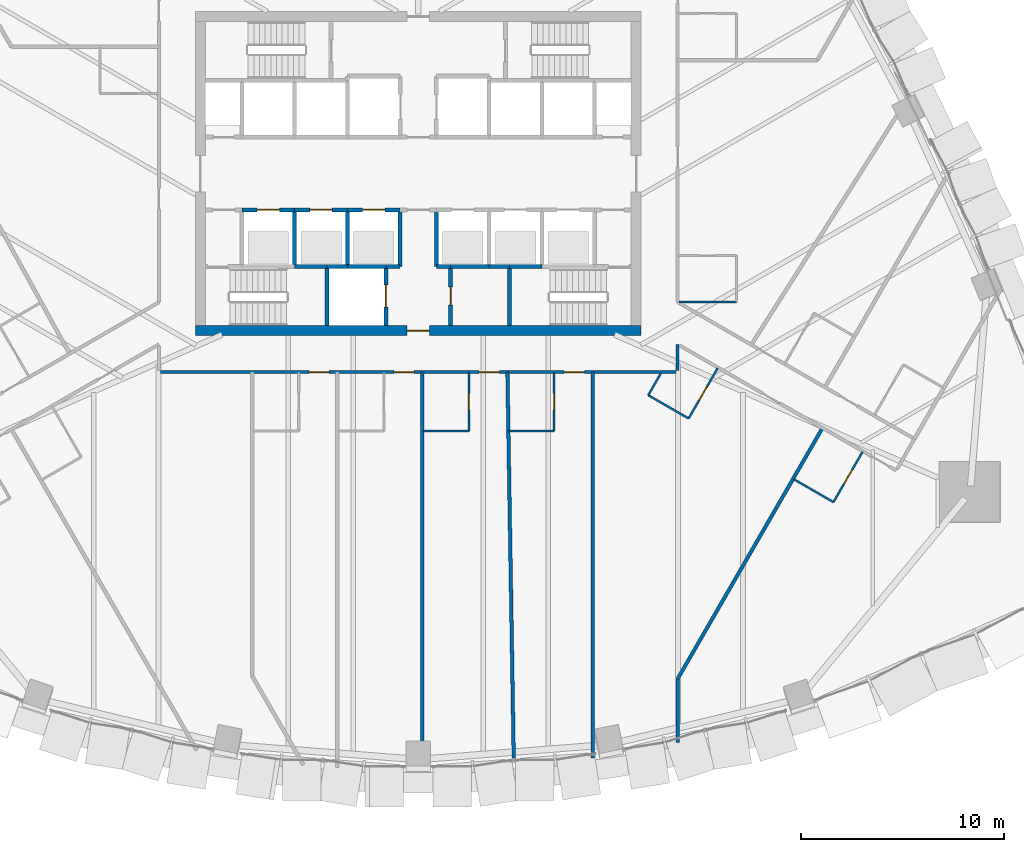
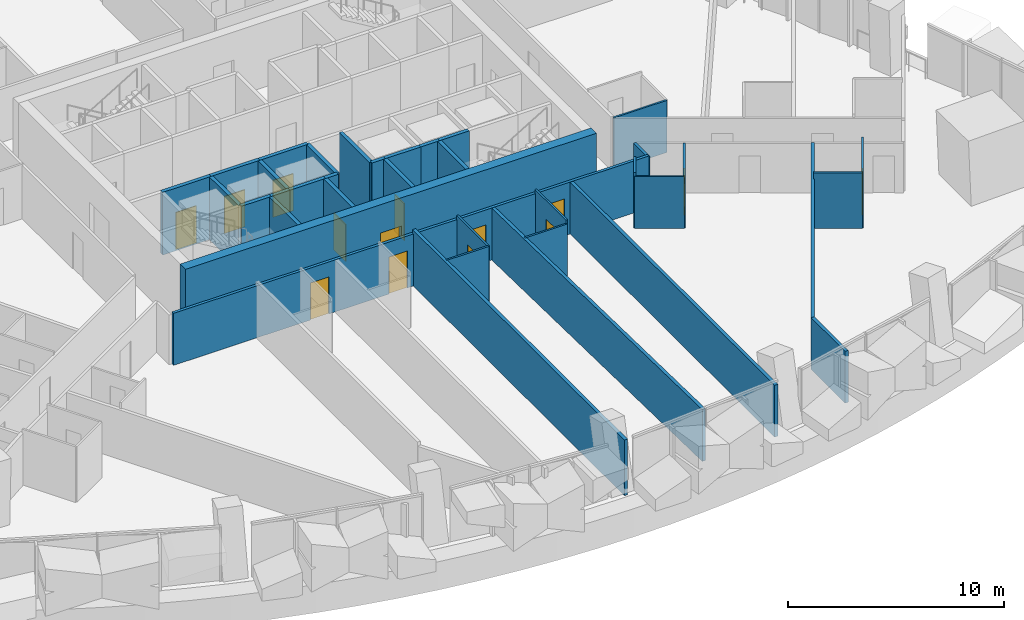
# One storey, part 16 of 27: 37 walls, 14 doors, 14 openings.
"""IFC4 building model written with IfcOpenShell, lengths in metres."""

from ifc_helpers import new_model, si_unit, direction, frame, frame_2d, origin, place, context, subcontext, project, spatial, rectangle, extrude, material, layer, layer_set, type_object, element, fill, save


model = new_model("IFC4")

# Units and contexts
model_context = context("Model", 3, precision=1e-05, world=origin(), true_north=direction((0.0, 1.0)))
body_context = subcontext(model_context, "Body", "Model", "MODEL_VIEW")
ifc_project = project(units=[si_unit("LENGTHUNIT", "METRE"), si_unit("AREAUNIT", "SQUARE_METRE"), si_unit("VOLUMEUNIT", "CUBIC_METRE"), si_unit("PLANEANGLEUNIT", "RADIAN"), si_unit("MASSUNIT", "GRAM", prefix="KILO")], contexts=[model_context])

# Site, building, storey
site_placement = place(None, origin())
site = spatial("IfcSite", under=ifc_project, at=site_placement, CompositionType="ELEMENT")
building_placement = place(site_placement, origin())
building = spatial("IfcBuilding", under=site, at=building_placement, Name="Sierra Prisma Convention Tower", CompositionType="ELEMENT")
storey_placement = place(building_placement, frame((0.0, 0.0, 48.0)))
storey = spatial("IfcBuildingStorey", under=building, at=storey_placement, Name="L07", CompositionType="ELEMENT", Elevation=48.0)

# Wall, opening, door
ifc_material_1 = material(Name="Gypsum board partition", Category="gypsum")
ifc_layer_1 = layer(ifc_material_1, 0.10009765625)
ifc_layer_set_1 = layer_set([ifc_layer_1], Name="Bathroom partition 100")
wall_type_1 = type_object("IfcWallType", Name="Bathroom partition 100", PredefinedType="PARTITIONING", material=ifc_layer_set_1)
wall_1_placement = place(storey_placement, frame((2.5, -9.830078125, 0.0), z_axis=(0.0, 0.0, 1.0), x_axis=(0.0, -1.0, 0.0)))
wall_1 = element("IfcWall", 1, at=wall_1_placement, inside=storey, type_object=wall_type_1, Name="Partition L07 bath 21", PredefinedType="PARTITIONING", context=body_context, shape_type="SweptSolid", body=[
    extrude(rectangle(XDim=2.869873046875, YDim=0.10009765625, at=frame_2d((1.43505859375, 0.0))), origin(), (0.0, 0.0, 1.0), 3.14990234375),
])
opening_1_placement = place(wall_1_placement, frame((1.034912109375, 0.0, 0.0)))
opening_1 = element("IfcOpeningElement", 2, at=opening_1_placement, cuts=wall_1, Name="Opening L07-D013", PredefinedType="OPENING", context=body_context, shape_type="SweptSolid", body=[
    extrude(rectangle(XDim=0.800048828125, YDim=2.10009765625, at=frame_2d((0.39990234375, 1.050048828125))), frame((0.0, 0.050048828125, 0.0), z_axis=(0.0, -1.0, 0.0), x_axis=(1.0, 0.0, 0.0)), (0.0, 0.0, 1.0), 0.10009765625),
])
ifc_material_2 = material(Name="Solid core timber door leaf", Category="wood")
door_type_1 = type_object("IfcDoorType", Name="Door 800x2100 plain", OperationType="SINGLE_SWING_LEFT", PredefinedType="DOOR", material=ifc_material_2)
door_1_placement = place(opening_1_placement, origin())
door_1 = element("IfcDoor", 3, at=door_1_placement, inside=storey, type_object=door_type_1, Name="Door L07 29", OperationType="SINGLE_SWING_LEFT", OverallHeight=2.10009765625, OverallWidth=0.800048828125, PredefinedType="DOOR", context=body_context, shape_type="SweptSolid", body=[
    extrude(rectangle(XDim=0.800048828125, YDim=2.10009765625, at=frame_2d((0.39990234375, 1.050048828125))), frame((0.0, 0.02490234375, 0.0), z_axis=(0.0, -1.0, 0.0), x_axis=(1.0, 0.0, 0.0)), (0.0, 0.0, 1.0), 0.050048828125),
])
fill(opening_1, door_1)

# Wall
wall_2_placement = place(storey_placement, frame((2.5, -12.699951171875, 0.0), z_axis=(0.0, 0.0, 1.0), x_axis=(-1.0, 0.0, 0.0)))
element("IfcWall", 4, at=wall_2_placement, inside=storey, type_object=wall_type_1, Name="Partition L07 bath 22", PredefinedType="PARTITIONING", context=body_context, shape_type="SweptSolid", body=[
    extrude(rectangle(XDim=2.27001953125, YDim=0.10009765625, at=frame_2d((1.135009765625, 0.0))), origin(), (0.0, 0.0, 1.0), 3.14990234375),
])

# Wall, opening, door
wall_3_placement = place(storey_placement, frame((6.699951171875, -9.830078125, 0.0), z_axis=(0.0, 0.0, 1.0), x_axis=(0.0, -1.0, 0.0)))
wall_3 = element("IfcWall", 5, at=wall_3_placement, inside=storey, type_object=wall_type_1, Name="Partition L07 bath 25", PredefinedType="PARTITIONING", context=body_context, shape_type="SweptSolid", body=[
    extrude(rectangle(XDim=2.869873046875, YDim=0.10009765625, at=frame_2d((1.43505859375, 0.0))), origin(), (0.0, 0.0, 1.0), 3.14990234375),
])
opening_2_placement = place(wall_3_placement, frame((1.034912109375, 0.0, 0.0)))
opening_2 = element("IfcOpeningElement", 6, at=opening_2_placement, cuts=wall_3, Name="Opening L07-D014", PredefinedType="OPENING", context=body_context, shape_type="SweptSolid", body=[
    extrude(rectangle(XDim=0.800048828125, YDim=2.10009765625, at=frame_2d((0.39990234375, 1.050048828125))), frame((0.0, 0.050048828125, 0.0), z_axis=(0.0, -1.0, 0.0), x_axis=(1.0, 0.0, 0.0)), (0.0, 0.0, 1.0), 0.10009765625),
])
door_2_placement = place(opening_2_placement, origin())
door_2 = element("IfcDoor", 7, at=door_2_placement, inside=storey, type_object=door_type_1, Name="Door L07 31", OperationType="SINGLE_SWING_LEFT", OverallHeight=2.10009765625, OverallWidth=0.800048828125, PredefinedType="DOOR", context=body_context, shape_type="SweptSolid", body=[
    extrude(rectangle(XDim=0.800048828125, YDim=2.10009765625, at=frame_2d((0.39990234375, 1.050048828125))), frame((0.0, 0.02490234375, 0.0), z_axis=(0.0, -1.0, 0.0), x_axis=(1.0, 0.0, 0.0)), (0.0, 0.0, 1.0), 0.050048828125),
])
fill(opening_2, door_2)

# Wall
wall_4_placement = place(storey_placement, frame((6.699951171875, -12.699951171875, 0.0), z_axis=(0.0, 0.0, 1.0), x_axis=(-1.0, 0.0, 0.0)))
element("IfcWall", 8, at=wall_4_placement, inside=storey, type_object=wall_type_1, Name="Partition L07 bath 26", PredefinedType="PARTITIONING", context=body_context, shape_type="SweptSolid", body=[
    extrude(rectangle(XDim=2.27001953125, YDim=0.10009765625, at=frame_2d((1.135009765625, 0.0))), origin(), (0.0, 0.0, 1.0), 2.947021484375),
])

# Wall, opening, door
wall_5_placement = place(storey_placement, frame((14.77685546875, -9.605224609375, 0.0), z_axis=(0.0, 0.0, 1.0), x_axis=(-0.499999802827, -0.866025517622, 0.0)))
wall_5 = element("IfcWall", 9, at=wall_5_placement, inside=storey, type_object=wall_type_1, Name="Partition L07 bath 27", PredefinedType="PARTITIONING", context=body_context, shape_type="SweptSolid", body=[
    extrude(rectangle(XDim=2.8701171875, YDim=0.10009765625, at=frame_2d((1.43505859375, 0.0))), origin(), (0.0, 0.0, 1.0), 2.797119140625),
])
opening_3_placement = place(wall_5_placement, frame((1.034912109375, 0.0, 0.0)))
opening_3 = element("IfcOpeningElement", 10, at=opening_3_placement, cuts=wall_5, Name="Opening L07-D015", PredefinedType="OPENING", context=body_context, shape_type="SweptSolid", body=[
    extrude(rectangle(XDim=0.800048828125, YDim=2.10009765625, at=frame_2d((0.39990234375, 1.050048828125))), frame((0.0, 0.050048828125, 0.0), z_axis=(0.0, -1.0, 0.0), x_axis=(1.0, 0.0, 0.0)), (0.0, 0.0, 1.0), 0.10009765625),
])
door_3_placement = place(opening_3_placement, origin())
door_3 = element("IfcDoor", 11, at=door_3_placement, inside=storey, type_object=door_type_1, Name="Door L07 33", OperationType="SINGLE_SWING_LEFT", OverallHeight=2.10009765625, OverallWidth=0.800048828125, PredefinedType="DOOR", context=body_context, shape_type="SweptSolid", body=[
    extrude(rectangle(XDim=0.800048828125, YDim=2.10009765625, at=frame_2d((0.39990234375, 1.050048828125))), frame((0.0, 0.02490234375, 0.0), z_axis=(0.0, -1.0, 0.0), x_axis=(1.0, 0.0, 0.0)), (0.0, 0.0, 1.0), 0.050048828125),
])
fill(opening_3, door_3)

# Walls
wall_6_placement = place(storey_placement, frame((13.341796875, -12.0908203125, 0.0), z_axis=(0.0, 0.0, 1.0), x_axis=(-0.86602648383, 0.499998129301, 0.0)))
element("IfcWall", 12, at=wall_6_placement, inside=storey, type_object=wall_type_1, Name="Partition L07 bath 28", PredefinedType="PARTITIONING", context=body_context, shape_type="SweptSolid", body=[
    extrude(rectangle(XDim=2.2998046875, YDim=0.10009765625, at=frame_2d((1.14990234375, 0.0))), origin(), (0.0, 0.0, 1.0), 2.947021484375),
])
wall_7_placement = place(storey_placement, frame((11.35009765625, -10.94091796875, 0.0), z_axis=(0.0, 0.0, 1.0), x_axis=(0.499865263774, 0.866103179807, 0.0)))
element("IfcWall", 13, at=wall_7_placement, inside=storey, type_object=wall_type_1, Name="Partition L07 bath 29", PredefinedType="PARTITIONING", context=body_context, shape_type="SweptSolid", body=[
    extrude(rectangle(XDim=1.282470703125, YDim=0.10009765625, at=frame_2d((0.64111328125, 0.0))), origin(), (0.0, 0.0, 1.0), 3.14990234375),
])
wall_8_placement = place(storey_placement, frame((15.699951171875, -6.350830078125, 0.0), z_axis=(0.0, 0.0, 1.0), x_axis=(-1.0, 0.0, 0.0)))
element("IfcWall", 14, at=wall_8_placement, inside=storey, type_object=wall_type_1, Name="Partition L07 bath 32", PredefinedType="PARTITIONING", context=body_context, shape_type="SweptSolid", body=[
    extrude(rectangle(XDim=2.83984375, YDim=0.10009765625, at=frame_2d((1.419921875, 0.0))), origin(), (0.0, 0.0, 1.0), 2.947021484375),
])

# Wall, opening, door
wall_9_placement = place(storey_placement, frame((21.927001953125, -13.7333984375, 0.0), z_axis=(0.0, 0.0, 1.0), x_axis=(-0.499936001555, -0.866062350151, 0.0)))
wall_9 = element("IfcWall", 15, at=wall_9_placement, inside=storey, type_object=wall_type_1, Name="Partition L07 bath 37", PredefinedType="PARTITIONING", context=body_context, shape_type="SweptSolid", body=[
    extrude(rectangle(XDim=2.8701171875, YDim=0.10009765625, at=frame_2d((1.43505859375, 0.0))), origin(), (0.0, 0.0, 1.0), 3.14990234375),
])
opening_4_placement = place(wall_9_placement, frame((1.034912109375, 0.0, 0.0)))
opening_4 = element("IfcOpeningElement", 16, at=opening_4_placement, cuts=wall_9, Name="Opening L07-D016", PredefinedType="OPENING", context=body_context, shape_type="SweptSolid", body=[
    extrude(rectangle(XDim=0.800048828125, YDim=2.10009765625, at=frame_2d((0.39990234375, 1.050048828125))), frame((0.0, 0.050048828125, 0.0), z_axis=(0.0, -1.0, 0.0), x_axis=(1.0, 0.0, 0.0)), (0.0, 0.0, 1.0), 0.10009765625),
])
door_4_placement = place(opening_4_placement, origin())
door_4 = element("IfcDoor", 17, at=door_4_placement, inside=storey, type_object=door_type_1, Name="Door L07 35", OperationType="SINGLE_SWING_LEFT", OverallHeight=2.10009765625, OverallWidth=0.800048828125, PredefinedType="DOOR", context=body_context, shape_type="SweptSolid", body=[
    extrude(rectangle(XDim=0.800048828125, YDim=2.10009765625, at=frame_2d((0.39990234375, 1.050048828125))), frame((0.0, 0.02490234375, 0.0), z_axis=(0.0, -1.0, 0.0), x_axis=(1.0, 0.0, 0.0)), (0.0, 0.0, 1.0), 0.050048828125),
])
fill(opening_4, door_4)

# Wall
wall_10_placement = place(storey_placement, frame((20.4921875, -16.218994140625, 0.0), z_axis=(0.0, 0.0, 1.0), x_axis=(-0.866044110172, 0.499967598186, 0.0)))
element("IfcWall", 18, at=wall_10_placement, inside=storey, type_object=wall_type_1, Name="Partition L07 bath 38", PredefinedType="PARTITIONING", context=body_context, shape_type="SweptSolid", body=[
    extrude(rectangle(XDim=2.270263671875, YDim=0.10009765625, at=frame_2d((1.13525390625, 0.0))), origin(), (0.0, 0.0, 1.0), 3.14990234375),
])

# Wall, opening, door
ifc_material_3 = material(Name="Concrete C30/37", Category="concrete")
ifc_layer_2 = layer(ifc_material_3, 0.199951171875)
ifc_layer_set_2 = layer_set([ifc_layer_2], Name="Core wall RC 200 C30/37")
wall_type_2 = type_object("IfcWallType", Name="Core wall RC 200 C30/37", PredefinedType="SOLIDWALL", material=ifc_layer_set_2)
wall_11_placement = place(storey_placement, frame((-8.699951171875, -1.800048828125, 0.0), z_axis=(0.0, 0.0, 1.0), x_axis=(1.0, 0.0, 0.0)))
wall_11 = element("IfcWall", 19, at=wall_11_placement, inside=storey, type_object=wall_type_2, Name="Core wall L07 7", PredefinedType="SOLIDWALL", context=body_context, shape_type="SweptSolid", body=[
    extrude(rectangle(XDim=2.599853515625, YDim=0.199951171875, at=frame_2d((1.2998046875, 0.0))), origin(), (0.0, 0.0, 1.0), 3.550048828125),
])
opening_5_placement = place(wall_11_placement, frame((0.75, 0.0, 0.0)))
opening_5 = element("IfcOpeningElement", 20, at=opening_5_placement, cuts=wall_11, Name="Opening L07-D019", PredefinedType="OPENING", context=body_context, shape_type="SweptSolid", body=[
    extrude(rectangle(XDim=1.10009765625, YDim=2.10009765625, at=frame_2d((0.550048828125, 1.050048828125))), frame((0.0, 0.10009765625, 0.0), z_axis=(0.0, -1.0, 0.0), x_axis=(1.0, 0.0, 0.0)), (0.0, 0.0, 1.0), 0.199951171875),
])
ifc_material_4 = material(Name="Steel fire door leaf", Category="steel")
door_type_2 = type_object("IfcDoorType", Name="Door 1100x2100 EI 90 sliding lift landing", OperationType="SLIDING_TO_LEFT", PredefinedType="DOOR", material=ifc_material_4)
door_5_placement = place(opening_5_placement, origin())
door_5 = element("IfcDoor", 21, at=door_5_placement, inside=storey, type_object=door_type_2, Name="Door L07 40", OperationType="SLIDING_TO_LEFT", OverallHeight=2.10009765625, OverallWidth=1.10009765625, PredefinedType="DOOR", context=body_context, shape_type="SweptSolid", body=[
    extrude(rectangle(XDim=1.10009765625, YDim=2.10009765625, at=frame_2d((0.550048828125, 1.050048828125))), frame((0.0, 0.02490234375, 0.0), z_axis=(0.0, -1.0, 0.0), x_axis=(1.0, 0.0, 0.0)), (0.0, 0.0, 1.0), 0.050048828125),
])
fill(opening_5, door_5)

# Walls
wall_12_placement = place(storey_placement, frame((-6.10009765625, -4.60009765625, 0.0), z_axis=(0.0, 0.0, 1.0), x_axis=(1.0, 0.0, 0.0)))
element("IfcWall", 22, at=wall_12_placement, inside=storey, type_object=wall_type_2, Name="Core wall L07 11", PredefinedType="SOLIDWALL", context=body_context, shape_type="SweptSolid", body=[
    extrude(rectangle(XDim=1.60009765625, YDim=0.199951171875, at=frame_2d((0.800048828125, 0.0))), origin(), (0.0, 0.0, 1.0), 3.550048828125),
])
wall_13_placement = place(storey_placement, frame((-6.10009765625, -4.60009765625, 0.0), z_axis=(0.0, 0.0, 1.0), x_axis=(0.0, 1.0, 0.0)))
element("IfcWall", 23, at=wall_13_placement, inside=storey, type_object=wall_type_2, Name="Core wall L07 12", PredefinedType="SOLIDWALL", context=body_context, shape_type="SweptSolid", body=[
    extrude(rectangle(XDim=2.800048828125, YDim=0.199951171875, at=frame_2d((1.39990234375, 0.0))), origin(), (0.0, 0.0, 1.0), 3.550048828125),
])

# Wall, opening, door
wall_14_placement = place(storey_placement, frame((-6.10009765625, -1.800048828125, 0.0), z_axis=(0.0, 0.0, 1.0), x_axis=(1.0, 0.0, 0.0)))
wall_14 = element("IfcWall", 24, at=wall_14_placement, inside=storey, type_object=wall_type_2, Name="Core wall L07 13", PredefinedType="SOLIDWALL", context=body_context, shape_type="SweptSolid", body=[
    extrude(rectangle(XDim=2.60009765625, YDim=0.199951171875, at=frame_2d((1.300048828125, 0.0))), origin(), (0.0, 0.0, 1.0), 3.550048828125),
])
opening_6_placement = place(wall_14_placement, frame((0.75, 0.0, 0.0)))
opening_6 = element("IfcOpeningElement", 25, at=opening_6_placement, cuts=wall_14, Name="Opening L07-D020", PredefinedType="OPENING", context=body_context, shape_type="SweptSolid", body=[
    extrude(rectangle(XDim=1.10009765625, YDim=2.10009765625, at=frame_2d((0.550048828125, 1.050048828125))), frame((0.0, 0.10009765625, 0.0), z_axis=(0.0, -1.0, 0.0), x_axis=(1.0, 0.0, 0.0)), (0.0, 0.0, 1.0), 0.199951171875),
])
door_6_placement = place(opening_6_placement, origin())
door_6 = element("IfcDoor", 26, at=door_6_placement, inside=storey, type_object=door_type_2, Name="Door L07 41", OperationType="SLIDING_TO_RIGHT", OverallHeight=2.10009765625, OverallWidth=1.10009765625, PredefinedType="DOOR", context=body_context, shape_type="SweptSolid", body=[
    extrude(rectangle(XDim=1.10009765625, YDim=2.10009765625, at=frame_2d((0.550048828125, 1.050048828125))), frame((0.0, 0.02490234375, 0.0), z_axis=(0.0, -1.0, 0.0), x_axis=(1.0, 0.0, 0.0)), (0.0, 0.0, 1.0), 0.050048828125),
])
fill(opening_6, door_6)

# Walls
wall_15_placement = place(storey_placement, frame((-4.5, -4.60009765625, 0.0), z_axis=(0.0, 0.0, 1.0), x_axis=(0.0, -1.0, 0.0)))
element("IfcWall", 27, at=wall_15_placement, inside=storey, type_object=wall_type_2, Name="Core wall L07 17", PredefinedType="SOLIDWALL", context=body_context, shape_type="SweptSolid", body=[
    extrude(rectangle(XDim=2.89990234375, YDim=0.199951171875, at=frame_2d((1.449951171875, 0.0))), origin(), (0.0, 0.0, 1.0), 3.550048828125),
])
wall_16_placement = place(storey_placement, frame((-4.5, -4.60009765625, 0.0), z_axis=(0.0, 0.0, 1.0), x_axis=(1.0, 0.0, 0.0)))
element("IfcWall", 28, at=wall_16_placement, inside=storey, type_object=wall_type_2, Name="Core wall L07 18", PredefinedType="SOLIDWALL", context=body_context, shape_type="SweptSolid", body=[
    extrude(rectangle(XDim=1.0, YDim=0.199951171875, at=frame_2d((0.5, 0.0))), origin(), (0.0, 0.0, 1.0), 3.550048828125),
])
wall_17_placement = place(storey_placement, frame((-3.5, -4.60009765625, 0.0), z_axis=(0.0, 0.0, 1.0), x_axis=(1.0, 0.0, 0.0)))
element("IfcWall", 29, at=wall_17_placement, inside=storey, type_object=wall_type_2, Name="Core wall L07 21", PredefinedType="SOLIDWALL", context=body_context, shape_type="SweptSolid", body=[
    extrude(rectangle(XDim=1.89990234375, YDim=0.199951171875, at=frame_2d((0.949951171875, 0.0))), origin(), (0.0, 0.0, 1.0), 3.550048828125),
])
wall_18_placement = place(storey_placement, frame((-3.5, -4.60009765625, 0.0), z_axis=(0.0, 0.0, 1.0), x_axis=(0.0, 1.0, 0.0)))
element("IfcWall", 30, at=wall_18_placement, inside=storey, type_object=wall_type_2, Name="Core wall L07 22", PredefinedType="SOLIDWALL", context=body_context, shape_type="SweptSolid", body=[
    extrude(rectangle(XDim=2.800048828125, YDim=0.199951171875, at=frame_2d((1.39990234375, 0.0))), origin(), (0.0, 0.0, 1.0), 3.550048828125),
])

# Wall, opening, door
wall_19_placement = place(storey_placement, frame((-3.5, -1.800048828125, 0.0), z_axis=(0.0, 0.0, 1.0), x_axis=(1.0, 0.0, 0.0)))
wall_19 = element("IfcWall", 31, at=wall_19_placement, inside=storey, type_object=wall_type_2, Name="Core wall L07 23", PredefinedType="SOLIDWALL", context=body_context, shape_type="SweptSolid", body=[
    extrude(rectangle(XDim=2.60009765625, YDim=0.199951171875, at=frame_2d((1.300048828125, 0.0))), origin(), (0.0, 0.0, 1.0), 3.550048828125),
])
opening_7_placement = place(wall_19_placement, frame((0.75, 0.0, 0.0)))
opening_7 = element("IfcOpeningElement", 32, at=opening_7_placement, cuts=wall_19, Name="Opening L07-D021", PredefinedType="OPENING", context=body_context, shape_type="SweptSolid", body=[
    extrude(rectangle(XDim=1.10009765625, YDim=2.10009765625, at=frame_2d((0.550048828125, 1.050048828125))), frame((0.0, 0.10009765625, 0.0), z_axis=(0.0, -1.0, 0.0), x_axis=(1.0, 0.0, 0.0)), (0.0, 0.0, 1.0), 0.199951171875),
])
door_7_placement = place(opening_7_placement, origin())
door_7 = element("IfcDoor", 33, at=door_7_placement, inside=storey, type_object=door_type_2, Name="Door L07 42", OperationType="SLIDING_TO_LEFT", OverallHeight=2.10009765625, OverallWidth=1.10009765625, PredefinedType="DOOR", context=body_context, shape_type="SweptSolid", body=[
    extrude(rectangle(XDim=1.10009765625, YDim=2.10009765625, at=frame_2d((0.550048828125, 1.050048828125))), frame((0.0, 0.02490234375, 0.0), z_axis=(0.0, -1.0, 0.0), x_axis=(1.0, 0.0, 0.0)), (0.0, 0.0, 1.0), 0.050048828125),
])
fill(opening_7, door_7)

wall_20_placement = place(storey_placement, frame((-1.60009765625, -7.5, 0.0), z_axis=(0.0, 0.0, 1.0), x_axis=(0.0, 1.0, 0.0)))
wall_20 = element("IfcWall", 34, at=wall_20_placement, inside=storey, type_object=wall_type_2, Name="Core wall L07 29", PredefinedType="SOLIDWALL", context=body_context, shape_type="SweptSolid", body=[
    extrude(rectangle(XDim=2.89990234375, YDim=0.199951171875, at=frame_2d((1.449951171875, 0.0))), origin(), (0.0, 0.0, 1.0), 3.550048828125),
])
opening_8_placement = place(wall_20_placement, frame((0.89990234375, 0.0, 0.0)))
opening_8 = element("IfcOpeningElement", 35, at=opening_8_placement, cuts=wall_20, Name="Opening L07-D027", PredefinedType="OPENING", context=body_context, shape_type="SweptSolid", body=[
    extrude(rectangle(XDim=1.10009765625, YDim=2.10009765625, at=frame_2d((0.550048828125, 1.050048828125))), frame((0.0, 0.10009765625, 0.0), z_axis=(0.0, -1.0, 0.0), x_axis=(1.0, 0.0, 0.0)), (0.0, 0.0, 1.0), 0.199951171875),
])
door_8_placement = place(opening_8_placement, origin())
door_8 = element("IfcDoor", 36, at=door_8_placement, inside=storey, type_object=door_type_2, Name="Door L07 48", OperationType="SLIDING_TO_LEFT", OverallHeight=2.10009765625, OverallWidth=1.10009765625, PredefinedType="DOOR", context=body_context, shape_type="SweptSolid", body=[
    extrude(rectangle(XDim=1.10009765625, YDim=2.10009765625, at=frame_2d((0.550048828125, 1.050048828125))), frame((0.0, 0.02490234375, 0.0), z_axis=(0.0, -1.0, 0.0), x_axis=(1.0, 0.0, 0.0)), (0.0, 0.0, 1.0), 0.050048828125),
])
fill(opening_8, door_8)

# Walls
wall_21_placement = place(storey_placement, frame((-1.60009765625, -4.60009765625, 0.0), z_axis=(0.0, 0.0, 1.0), x_axis=(1.0, 0.0, 0.0)))
element("IfcWall", 37, at=wall_21_placement, inside=storey, type_object=wall_type_2, Name="Core wall L07 30", PredefinedType="SOLIDWALL", context=body_context, shape_type="SweptSolid", body=[
    extrude(rectangle(XDim=0.7001953125, YDim=0.199951171875, at=frame_2d((0.35009765625, 0.0))), origin(), (0.0, 0.0, 1.0), 3.550048828125),
])
for number, where, z_axis, x_axis, name in (
    (38, (-0.89990234375, -4.60009765625, 0.0), (0.0, 0.0, 1.0), (0.0, 1.0, 0.0), "Core wall L07 31"),
    (39, (0.89990234375, -1.800048828125, 0.0), (0.0, 0.0, 1.0), (0.0, -1.0, 0.0), "Core wall L07 35"),
):
    element("IfcWall", number, at=place(storey_placement, frame(where, z_axis=z_axis, x_axis=x_axis)), inside=storey, type_object=wall_type_2, Name=name, PredefinedType="SOLIDWALL", context=body_context, shape_type="SweptSolid", body=[
        extrude(rectangle(XDim=2.800048828125, YDim=0.199951171875, at=frame_2d((1.39990234375, 0.0))), origin(), (0.0, 0.0, 1.0), 3.550048828125),
    ])
wall_22_placement = place(storey_placement, frame((0.89990234375, -4.60009765625, 0.0), z_axis=(0.0, 0.0, 1.0), x_axis=(1.0, 0.0, 0.0)))
element("IfcWall", 40, at=wall_22_placement, inside=storey, type_object=wall_type_2, Name="Core wall L07 36", PredefinedType="SOLIDWALL", context=body_context, shape_type="SweptSolid", body=[
    extrude(rectangle(XDim=0.7001953125, YDim=0.199951171875, at=frame_2d((0.35009765625, 0.0))), origin(), (0.0, 0.0, 1.0), 3.550048828125),
])

# Wall, opening, door
wall_23_placement = place(storey_placement, frame((1.60009765625, -4.60009765625, 0.0), z_axis=(0.0, 0.0, 1.0), x_axis=(0.0, -1.0, 0.0)))
wall_23 = element("IfcWall", 41, at=wall_23_placement, inside=storey, type_object=wall_type_2, Name="Core wall L07 41", PredefinedType="SOLIDWALL", context=body_context, shape_type="SweptSolid", body=[
    extrude(rectangle(XDim=2.89990234375, YDim=0.199951171875, at=frame_2d((1.449951171875, 0.0))), origin(), (0.0, 0.0, 1.0), 3.550048828125),
])
opening_9_placement = place(wall_23_placement, frame((1.0, 0.0, 0.0)))
opening_9 = element("IfcOpeningElement", 42, at=opening_9_placement, cuts=wall_23, Name="Opening L07-D038", PredefinedType="OPENING", context=body_context, shape_type="SweptSolid", body=[
    extrude(rectangle(XDim=0.89990234375, YDim=2.10009765625, at=frame_2d((0.449951171875, 1.050048828125))), frame((0.0, 0.10009765625, 0.0), z_axis=(0.0, -1.0, 0.0), x_axis=(1.0, 0.0, 0.0)), (0.0, 0.0, 1.0), 0.199951171875),
])
ifc_material_5 = material(Name="Steel fire door leaf", Category="steel")
door_type_3 = type_object("IfcDoorType", Name="Door 900x2100 FD30S", OperationType="SINGLE_SWING_LEFT", PredefinedType="DOOR", material=ifc_material_5)
door_9_placement = place(opening_9_placement, origin())
door_9 = element("IfcDoor", 43, at=door_9_placement, inside=storey, type_object=door_type_3, Name="Door L07 59", OperationType="SINGLE_SWING_RIGHT", OverallHeight=2.10009765625, OverallWidth=0.89990234375, PredefinedType="DOOR", context=body_context, shape_type="SweptSolid", body=[
    extrude(rectangle(XDim=0.89990234375, YDim=2.10009765625, at=frame_2d((0.449951171875, 1.050048828125))), frame((0.0, 0.02490234375, 0.0), z_axis=(0.0, -1.0, 0.0), x_axis=(1.0, 0.0, 0.0)), (0.0, 0.0, 1.0), 0.050048828125),
])
fill(opening_9, door_9)

# Walls
wall_24_placement = place(storey_placement, frame((3.5, -4.60009765625, 0.0), z_axis=(0.0, 0.0, 1.0), x_axis=(-1.0, 0.0, 0.0)))
element("IfcWall", 44, at=wall_24_placement, inside=storey, type_object=wall_type_2, Name="Core wall L07 42", PredefinedType="SOLIDWALL", context=body_context, shape_type="SweptSolid", body=[
    extrude(rectangle(XDim=1.89990234375, YDim=0.199951171875, at=frame_2d((0.949951171875, 0.0))), origin(), (0.0, 0.0, 1.0), 3.550048828125),
])
wall_25_placement = place(storey_placement, frame((4.5, -4.60009765625, 0.0), z_axis=(0.0, 0.0, 1.0), x_axis=(-1.0, 0.0, 0.0)))
element("IfcWall", 45, at=wall_25_placement, inside=storey, type_object=wall_type_2, Name="Core wall L07 43", PredefinedType="SOLIDWALL", context=body_context, shape_type="SweptSolid", body=[
    extrude(rectangle(XDim=1.0, YDim=0.199951171875, at=frame_2d((0.5, 0.0))), origin(), (0.0, 0.0, 1.0), 3.550048828125),
])
wall_26_placement = place(storey_placement, frame((4.5, -7.5, 0.0), z_axis=(0.0, 0.0, 1.0), x_axis=(0.0, 1.0, 0.0)))
element("IfcWall", 46, at=wall_26_placement, inside=storey, type_object=wall_type_2, Name="Core wall L07 51", PredefinedType="SOLIDWALL", context=body_context, shape_type="SweptSolid", body=[
    extrude(rectangle(XDim=2.89990234375, YDim=0.199951171875, at=frame_2d((1.449951171875, 0.0))), origin(), (0.0, 0.0, 1.0), 3.550048828125),
])
wall_27_placement = place(storey_placement, frame((4.5, -4.60009765625, 0.0), z_axis=(0.0, 0.0, 1.0), x_axis=(1.0, 0.0, 0.0)))
element("IfcWall", 47, at=wall_27_placement, inside=storey, type_object=wall_type_2, Name="Core wall L07 52", PredefinedType="SOLIDWALL", context=body_context, shape_type="SweptSolid", body=[
    extrude(rectangle(XDim=1.60009765625, YDim=0.199951171875, at=frame_2d((0.800048828125, 0.0))), origin(), (0.0, 0.0, 1.0), 3.550048828125),
])

# Wall, opening, door
ifc_material_6 = material(Name="Concrete C60/75", Category="concrete")
ifc_layer_3 = layer(ifc_material_6, 0.5)
ifc_layer_set_3 = layer_set([ifc_layer_3], Name="Core wall RC 500 C60/75")
wall_type_3 = type_object("IfcWallType", Name="Core wall RC 500 C60/75", PredefinedType="SHEAR", material=ifc_layer_set_3)
wall_28_placement = place(storey_placement, frame((-11.0, -7.75, 0.0), z_axis=(0.0, 0.0, 1.0), x_axis=(1.0, 0.0, 0.0)))
wall_28 = element("IfcWall", 48, at=wall_28_placement, inside=storey, type_object=wall_type_3, Name="Core wall S L07", PredefinedType="SHEAR", context=body_context, shape_type="SweptSolid", body=[
    extrude(rectangle(XDim=22.0, YDim=0.5, at=frame_2d((11.0, 0.0))), origin(), (0.0, 0.0, 1.0), 3.699951171875),
])
opening_10_placement = place(wall_28_placement, frame((10.449951171875, 0.0, 0.0)))
opening_10 = element("IfcOpeningElement", 49, at=opening_10_placement, cuts=wall_28, Name="Opening L07-D062", PredefinedType="OPENING", context=body_context, shape_type="SweptSolid", body=[
    extrude(rectangle(XDim=1.10009765625, YDim=2.10009765625, at=frame_2d((0.550048828125, 1.050048828125))), frame((0.0, 0.25, 0.0), z_axis=(0.0, -1.0, 0.0), x_axis=(1.0, 0.0, 0.0)), (0.0, 0.0, 1.0), 0.5),
])
ifc_material_7 = material(Name="Steel fire door leaf", Category="steel")
door_type_4 = type_object("IfcDoorType", Name="Door 1100x2100 FD30S", OperationType="SINGLE_SWING_LEFT", PredefinedType="DOOR", material=ifc_material_7)
door_10_placement = place(opening_10_placement, origin())
door_10 = element("IfcDoor", 50, at=door_10_placement, inside=storey, type_object=door_type_4, Name="Door L07 63", OperationType="SINGLE_SWING_RIGHT", OverallHeight=2.10009765625, OverallWidth=1.10009765625, PredefinedType="DOOR", context=body_context, shape_type="SweptSolid", body=[
    extrude(rectangle(XDim=1.10009765625, YDim=2.10009765625, at=frame_2d((0.550048828125, 1.050048828125))), frame((0.0, 0.02490234375, 0.0), z_axis=(0.0, -1.0, 0.0), x_axis=(1.0, 0.0, 0.0)), (0.0, 0.0, 1.0), 0.050048828125),
])
fill(opening_10, door_10)

# Wall, openings, doors
ifc_material_8 = material(Name="Gypsum board partition", Category="gypsum")
ifc_layer_4 = layer(ifc_material_8, 0.14990234375)
ifc_layer_set_4 = layer_set([ifc_layer_4], Name="Corridor wall 150 gypsum EI 60")
wall_type_4 = type_object("IfcWallType", Name="Corridor wall 150 gypsum EI 60", PredefinedType="PARTITIONING", material=ifc_layer_set_4)
wall_29_placement = place(storey_placement, frame((-12.719970703125, -9.800048828125, 0.0), z_axis=(0.0, 0.0, 1.0), x_axis=(1.0, 0.0, 0.0)))
wall_29 = element("IfcWall", 51, at=wall_29_placement, inside=storey, type_object=wall_type_4, Name="Partition L07 corr 6", PredefinedType="PARTITIONING", context=body_context, shape_type="SweptSolid", body=[
    extrude(rectangle(XDim=25.43994140625, YDim=0.14990234375, at=frame_2d((12.719970703125, 0.0))), origin(), (0.0, 0.0, 1.0), 2.947021484375),
])
opening_11_placement = place(wall_29_placement, frame((7.320068359375, 0.0, 0.0)))
opening_11 = element("IfcOpeningElement", 52, at=opening_11_placement, cuts=wall_29, Name="Opening L07-D052", PredefinedType="OPENING", context=body_context, shape_type="SweptSolid", body=[
    extrude(rectangle(XDim=1.0, YDim=2.10009765625, at=frame_2d((0.5, 1.050048828125))), frame((0.0, 0.074951171875, 0.0), z_axis=(0.0, -1.0, 0.0), x_axis=(1.0, 0.0, 0.0)), (0.0, 0.0, 1.0), 0.14990234375),
])
opening_12_placement = place(wall_29_placement, frame((11.52001953125, 0.0, 0.0)))
opening_12 = element("IfcOpeningElement", 53, at=opening_12_placement, cuts=wall_29, Name="Opening L07-D053", PredefinedType="OPENING", context=body_context, shape_type="SweptSolid", body=[
    extrude(rectangle(XDim=1.0, YDim=2.10009765625, at=frame_2d((0.5, 1.050048828125))), frame((0.0, 0.074951171875, 0.0), z_axis=(0.0, -1.0, 0.0), x_axis=(1.0, 0.0, 0.0)), (0.0, 0.0, 1.0), 0.14990234375),
])
opening_13_placement = place(wall_29_placement, frame((15.719970703125, 0.0, 0.0)))
opening_13 = element("IfcOpeningElement", 54, at=opening_13_placement, cuts=wall_29, Name="Opening L07-D054", PredefinedType="OPENING", context=body_context, shape_type="SweptSolid", body=[
    extrude(rectangle(XDim=1.0, YDim=2.10009765625, at=frame_2d((0.5, 1.050048828125))), frame((0.0, 0.074951171875, 0.0), z_axis=(0.0, -1.0, 0.0), x_axis=(1.0, 0.0, 0.0)), (0.0, 0.0, 1.0), 0.14990234375),
])
opening_14_placement = place(wall_29_placement, frame((19.919921875, 0.0, 0.0)))
opening_14 = element("IfcOpeningElement", 55, at=opening_14_placement, cuts=wall_29, Name="Opening L07-D055", PredefinedType="OPENING", context=body_context, shape_type="SweptSolid", body=[
    extrude(rectangle(XDim=1.0, YDim=2.10009765625, at=frame_2d((0.5, 1.050048828125))), frame((0.0, 0.074951171875, 0.0), z_axis=(0.0, -1.0, 0.0), x_axis=(1.0, 0.0, 0.0)), (0.0, 0.0, 1.0), 0.14990234375),
])
ifc_material_9 = material(Name="Steel fire door leaf", Category="steel")
door_type_5 = type_object("IfcDoorType", Name="Door 1000x2100 FD30S", OperationType="SINGLE_SWING_LEFT", PredefinedType="DOOR", material=ifc_material_9)
door_11_placement = place(opening_11_placement, origin())
door_11 = element("IfcDoor", 56, at=door_11_placement, inside=storey, type_object=door_type_5, Name="Door L07 24", OperationType="SINGLE_SWING_LEFT", OverallHeight=2.10009765625, OverallWidth=1.0, PredefinedType="DOOR", context=body_context, shape_type="SweptSolid", body=[
    extrude(rectangle(XDim=1.0, YDim=2.10009765625, at=frame_2d((0.5, 1.050048828125))), frame((0.0, 0.02490234375, 0.0), z_axis=(0.0, -1.0, 0.0), x_axis=(1.0, 0.0, 0.0)), (0.0, 0.0, 1.0), 0.050048828125),
])
fill(opening_11, door_11)
door_12_placement = place(opening_12_placement, origin())
door_12 = element("IfcDoor", 57, at=door_12_placement, inside=storey, type_object=door_type_5, Name="Door L07 26", OperationType="SINGLE_SWING_LEFT", OverallHeight=2.10009765625, OverallWidth=1.0, PredefinedType="DOOR", context=body_context, shape_type="SweptSolid", body=[
    extrude(rectangle(XDim=1.0, YDim=2.10009765625, at=frame_2d((0.5, 1.050048828125))), frame((0.0, 0.02490234375, 0.0), z_axis=(0.0, -1.0, 0.0), x_axis=(1.0, 0.0, 0.0)), (0.0, 0.0, 1.0), 0.050048828125),
])
fill(opening_12, door_12)
door_13_placement = place(opening_13_placement, origin())
door_13 = element("IfcDoor", 58, at=door_13_placement, inside=storey, type_object=door_type_5, Name="Door L07 28", OperationType="SINGLE_SWING_LEFT", OverallHeight=2.10009765625, OverallWidth=1.0, PredefinedType="DOOR", context=body_context, shape_type="SweptSolid", body=[
    extrude(rectangle(XDim=1.0, YDim=2.10009765625, at=frame_2d((0.5, 1.050048828125))), frame((0.0, 0.02490234375, 0.0), z_axis=(0.0, -1.0, 0.0), x_axis=(1.0, 0.0, 0.0)), (0.0, 0.0, 1.0), 0.050048828125),
])
fill(opening_13, door_13)
door_14_placement = place(opening_14_placement, origin())
door_14 = element("IfcDoor", 59, at=door_14_placement, inside=storey, type_object=door_type_5, Name="Door L07 30", OperationType="SINGLE_SWING_LEFT", OverallHeight=2.10009765625, OverallWidth=1.0, PredefinedType="DOOR", context=body_context, shape_type="SweptSolid", body=[
    extrude(rectangle(XDim=1.0, YDim=2.10009765625, at=frame_2d((0.5, 1.050048828125))), frame((0.0, 0.02490234375, 0.0), z_axis=(0.0, -1.0, 0.0), x_axis=(1.0, 0.0, 0.0)), (0.0, 0.0, 1.0), 0.050048828125),
])
fill(opening_14, door_14)

# Walls
wall_30_placement = place(storey_placement, frame((12.800048828125, -9.719970703125, 0.0), z_axis=(0.0, 0.0, 1.0), x_axis=(0.0, 1.0, 0.0)))
element("IfcWall", 60, at=wall_30_placement, inside=storey, type_object=wall_type_4, Name="Partition L07 corr 14", PredefinedType="PARTITIONING", context=body_context, shape_type="SweptSolid", body=[
    extrude(rectangle(XDim=1.290771484375, YDim=0.14990234375, at=frame_2d((0.6455078125, 0.0))), origin(), (0.0, 0.0, 1.0), 2.797119140625),
])
ifc_material_10 = material(Name="Acoustic gypsum board partition", Category="gypsum")
ifc_layer_5 = layer(ifc_material_10, 0.175048828125)
ifc_layer_set_5 = layer_set([ifc_layer_5], Name="Guest room party wall 175 acoustic EI 60")
wall_type_5 = type_object("IfcWallType", Name="Guest room party wall 175 acoustic EI 60", PredefinedType="PARTITIONING", material=ifc_layer_set_5)
wall_31_placement = place(storey_placement, frame((0.199951171875, -9.800048828125, 0.0), z_axis=(0.0, 0.0, 1.0), x_axis=(0.0, -1.0, 0.0)))
element("IfcWall", 61, at=wall_31_placement, inside=storey, type_object=wall_type_5, Name="Partition L07 hparty 13", PredefinedType="PARTITIONING", context=body_context, shape_type="SweptSolid", body=[
    extrude(rectangle(XDim=19.650146484375, YDim=0.175048828125, at=frame_2d((9.8251953125, 0.0))), origin(), (0.0, 0.0, 1.0), 3.14990234375),
])
wall_32_placement = place(storey_placement, frame((4.39990234375, -9.800048828125, 0.0), z_axis=(0.0, 0.0, 1.0), x_axis=(0.016306426633, -0.999867041386, 0.0)))
element("IfcWall", 62, at=wall_32_placement, inside=storey, type_object=wall_type_5, Name="Partition L07 hparty 16", PredefinedType="PARTITIONING", context=body_context, shape_type="SweptSolid", body=[
    extrude(rectangle(XDim=19.059326171875, YDim=0.175048828125, at=frame_2d((9.52978515625, 0.0))), origin(), (0.0, 0.0, 1.0), 2.93408203125),
])
wall_33_placement = place(storey_placement, frame((8.60009765625, -9.800048828125, 0.0), z_axis=(0.0, 0.0, 1.0), x_axis=(0.0, -1.0, 0.0)))
element("IfcWall", 63, at=wall_33_placement, inside=storey, type_object=wall_type_5, Name="Partition L07 hparty 17", PredefinedType="PARTITIONING", context=body_context, shape_type="SweptSolid", body=[
    extrude(rectangle(XDim=19.037109375, YDim=0.175048828125, at=frame_2d((9.5185546875, 0.0))), origin(), (0.0, 0.0, 1.0), 2.93408203125),
])
wall_34_placement = place(storey_placement, frame((19.9501953125, -12.5576171875, 0.0), z_axis=(0.0, 0.0, 1.0), x_axis=(-0.500004228592, -0.866022962392, 0.0)))
element("IfcWall", 64, at=wall_34_placement, inside=storey, type_object=wall_type_5, Name="Partition L07 hparty 19", PredefinedType="PARTITIONING", context=body_context, shape_type="SweptSolid", body=[
    extrude(rectangle(XDim=14.30029296875, YDim=0.175048828125, at=frame_2d((7.150146484375, 0.0))), origin(), (0.0, 0.0, 1.0), 2.797119140625),
])
wall_35_placement = place(storey_placement, frame((12.800048828125, -24.94189453125, 0.0), z_axis=(0.0, 0.0, 1.0), x_axis=(0.0, -1.0, 0.0)))
element("IfcWall", 65, at=wall_35_placement, inside=storey, type_object=wall_type_5, Name="Partition L07 hparty 20", PredefinedType="PARTITIONING", context=body_context, shape_type="SweptSolid", body=[
    extrude(rectangle(XDim=3.146240234375, YDim=0.175048828125, at=frame_2d((1.5732421875, 0.0))), origin(), (0.0, 0.0, 1.0), 2.93408203125),
])

save(model, "model.ifc")
